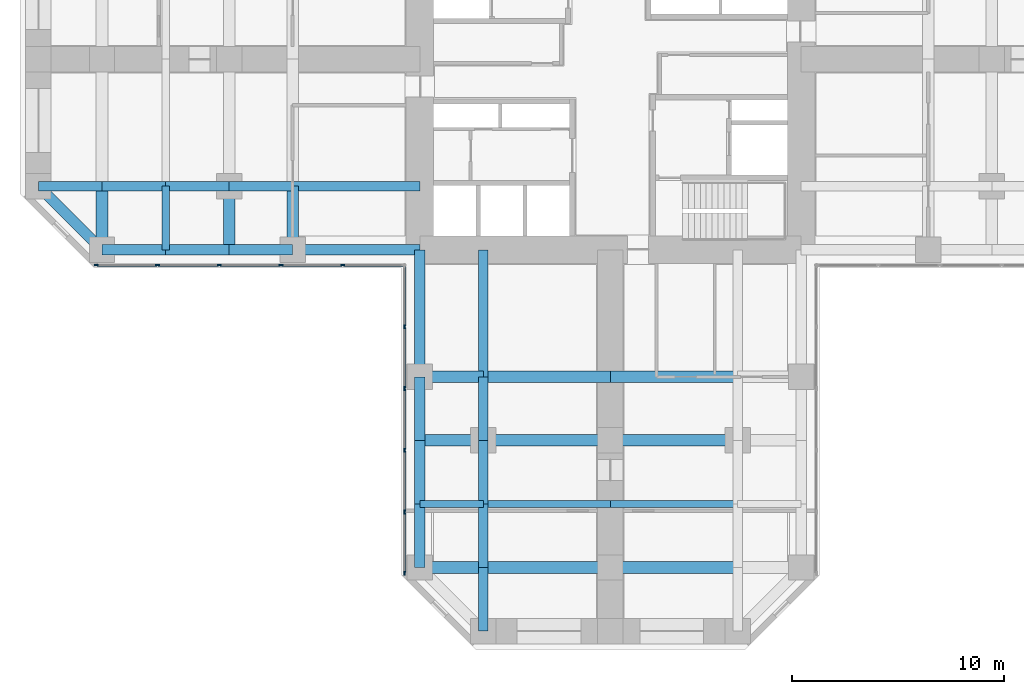
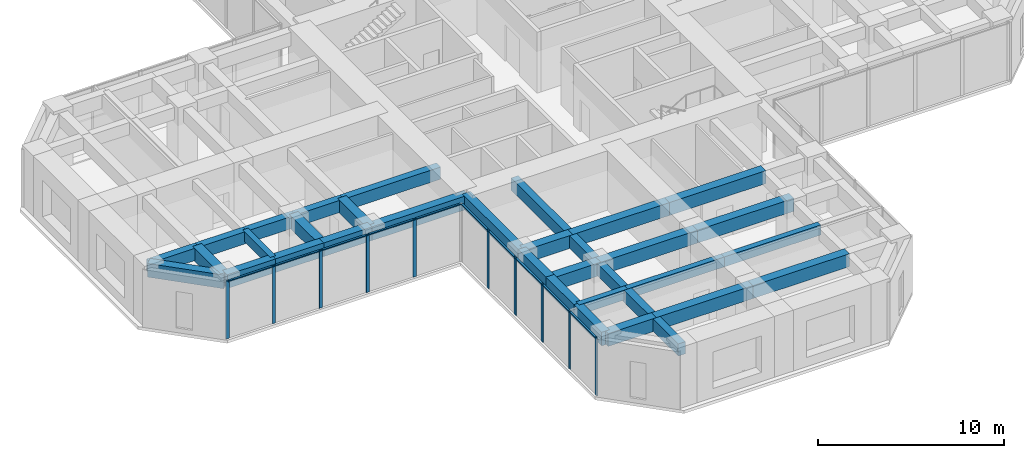
# One storey, part 2 of 12: 35 beams, 20 members, 2 elements without a shape of their own.
"""IFC4 building model written with IfcOpenShell, lengths in metres."""

from ifc_helpers import new_model, si_unit, direction, frame, origin, origin_2d, place, context, subcontext, project, spatial, rectangle, extrude, material, material_profile, profile_set, type_object, element, aggregate, save


model = new_model("IFC4")

# Units and contexts
model_context = context("Model", 3, precision=1e-05, world=origin(), true_north=direction((0.0, 1.0)))
body_context = subcontext(model_context, "Body", "Model", "MODEL_VIEW")
ifc_project = project(units=[si_unit("LENGTHUNIT", "METRE"), si_unit("AREAUNIT", "SQUARE_METRE"), si_unit("VOLUMEUNIT", "CUBIC_METRE"), si_unit("PLANEANGLEUNIT", "RADIAN"), si_unit("MASSUNIT", "GRAM", prefix="KILO")], contexts=[model_context])

# Site, building, storey
site_placement = place(None, origin())
site = spatial("IfcSite", under=ifc_project, at=site_placement, CompositionType="ELEMENT")
building_placement = place(site_placement, origin())
building = spatial("IfcBuilding", under=site, at=building_placement, Name="Torre Cruceta", CompositionType="ELEMENT")
storey_placement = place(building_placement, frame((0.0, 0.0, 87.5)))
storey = spatial("IfcBuildingStorey", under=building, at=storey_placement, Name="L21", CompositionType="ELEMENT", Elevation=87.5)

# Beams
ifc_material_1 = material(Name="Concrete G60 (fck 60 MPa)", Category="concrete")
ifc_material_profile_1 = material_profile(ifc_material_1, rectangle(XDim=0.449951171875, YDim=0.800048828125, at=origin_2d()), Name="RC 450X800")
ifc_profile_set_1 = profile_set([ifc_material_profile_1], Name="Concrete G60 (fck 60 MPa)")
beam_type_1 = type_object("IfcBeamType", Name="COLUMN LINE BEAM RC 450X800", PredefinedType="BEAM", material=ifc_profile_set_1)
beam_1_placement = place(storey_placement, frame((-6.0, -9.0, 3.39990234375), z_axis=(0.0, -1.0, 0.0), x_axis=(1.0, 0.0, 0.0)))
element("IfcBeam", 1, at=beam_1_placement, inside=storey, type_object=beam_type_1, Name="LB1 L21 S col- 1", PredefinedType="BEAM", context=body_context, shape_type="SweptSolid", body=[
    extrude(rectangle(XDim=0.449951171875, YDim=0.800048828125, at=origin_2d()), origin(), (0.0, 0.0, 1.0), 6.0),
])
for number, where, z_axis, x_axis, name in (
    (2, (-6.0, -15.0, 3.39990234375), (0.0, -1.0, 0.0), (1.0, 0.0, 0.0), "LB1 L21 S col- 2"),
    (3, (-6.0, -18.0, 3.39990234375), (0.0, -1.0, 0.0), (1.0, 0.0, 0.0), "LB1 L21 S col- 3"),
    (4, (-6.0, -21.0, 3.39990234375), (0.0, -1.0, 0.0), (1.0, 0.0, 0.0), "LB1 L21 S col- 4"),
    (5, (-6.0, -24.0, 3.39990234375), (0.0, -1.0, 0.0), (1.0, 0.0, 0.0), "LB1 L21 S col- 5"),
):
    element("IfcBeam", number, at=place(storey_placement, frame(where, z_axis=z_axis, x_axis=x_axis)), inside=storey, type_object=beam_type_1, Name=name, PredefinedType="BEAM", context=body_context, shape_type="SweptSolid", body=[
        extrude(rectangle(XDim=0.449951171875, YDim=0.800048828125, at=origin_2d()), origin(), (0.0, 0.0, 1.0), 3.0),
    ])
beam_2_placement = place(storey_placement, frame((-9.0, -6.0, 3.39990234375), z_axis=(-1.0, 0.0, 0.0), x_axis=(0.0, -1.0, 0.0)))
element("IfcBeam", 6, at=beam_2_placement, inside=storey, type_object=beam_type_1, Name="LB1 L21 W col+ 1", PredefinedType="BEAM", context=body_context, shape_type="SweptSolid", body=[
    extrude(rectangle(XDim=0.449951171875, YDim=0.800048828125, at=origin_2d()), origin(), (0.0, 0.0, 1.0), 6.0),
])
for number, where, z_axis, x_axis, name in (
    (7, (-15.0, -6.0, 3.39990234375), (-1.0, 0.0, 0.0), (0.0, -1.0, 0.0), "LB1 L21 W col+ 2"),
    (8, (-18.0, -6.0, 3.39990234375), (-1.0, 0.0, 0.0), (0.0, -1.0, 0.0), "LB1 L21 W col+ 3"),
    (9, (-21.0, -6.0, 3.39990234375), (-1.0, 0.0, 0.0), (0.0, -1.0, 0.0), "LB1 L21 W col+ 4"),
    (10, (-24.0, -6.0, 3.39990234375), (-1.0, 0.0, 0.0), (0.0, -1.0, 0.0), "LB1 L21 W col+ 5"),
):
    element("IfcBeam", number, at=place(storey_placement, frame(where, z_axis=z_axis, x_axis=x_axis)), inside=storey, type_object=beam_type_1, Name=name, PredefinedType="BEAM", context=body_context, shape_type="SweptSolid", body=[
        extrude(rectangle(XDim=0.449951171875, YDim=0.800048828125, at=origin_2d()), origin(), (0.0, 0.0, 1.0), 3.0),
    ])
ifc_material_2 = material(Name="Concrete G60 (fck 60 MPa)", Category="concrete")
ifc_material_profile_2 = material_profile(ifc_material_2, rectangle(XDim=0.550048828125, YDim=0.85009765625, at=origin_2d()), Name="RC 550X850")
ifc_profile_set_2 = profile_set([ifc_material_profile_2], Name="Concrete G60 (fck 60 MPa)")
beam_type_2 = type_object("IfcBeamType", Name="CROSS BEAM RC 550X850", PredefinedType="BEAM", material=ifc_profile_set_2)
beam_3_placement = place(storey_placement, frame((-9.0, -15.0, 3.375), z_axis=(1.0, 0.0, 0.0), x_axis=(0.0, 1.0, 0.0)))
element("IfcBeam", 11, at=beam_3_placement, inside=storey, type_object=beam_type_2, Name="GB4 L21 S cross15 1", PredefinedType="BEAM", context=body_context, shape_type="SweptSolid", body=[
    extrude(rectangle(XDim=0.550048828125, YDim=0.85009765625, at=origin_2d()), origin(), (0.0, 0.0, 1.0), 3.0),
])
for number, where, z_axis, x_axis, name in (
    (12, (-6.0, -15.0, 3.375), (1.0, 0.0, 0.0), (0.0, 1.0, 0.0), "GB4 L21 S cross15 2"),
    (13, (0.0, -15.0, 3.375), (1.0, 0.0, 0.0), (0.0, 1.0, 0.0), "GB4 L21 S cross15 3"),
):
    element("IfcBeam", number, at=place(storey_placement, frame(where, z_axis=z_axis, x_axis=x_axis)), inside=storey, type_object=beam_type_2, Name=name, PredefinedType="BEAM", context=body_context, shape_type="SweptSolid", body=[
        extrude(rectangle(XDim=0.550048828125, YDim=0.85009765625, at=origin_2d()), origin(), (0.0, 0.0, 1.0), 6.0),
    ])
beam_4_placement = place(storey_placement, frame((-9.0, -18.0, 3.375), z_axis=(1.0, 0.0, 0.0), x_axis=(0.0, 1.0, 0.0)))
element("IfcBeam", 14, at=beam_4_placement, inside=storey, type_object=beam_type_2, Name="GB4 L21 S cross18 1", PredefinedType="BEAM", context=body_context, shape_type="SweptSolid", body=[
    extrude(rectangle(XDim=0.550048828125, YDim=0.85009765625, at=origin_2d()), origin(), (0.0, 0.0, 1.0), 3.0),
])
for number, where, z_axis, x_axis, name in (
    (15, (-6.0, -18.0, 3.375), (1.0, 0.0, 0.0), (0.0, 1.0, 0.0), "GB4 L21 S cross18 2"),
    (16, (0.0, -18.0, 3.375), (1.0, 0.0, 0.0), (0.0, 1.0, 0.0), "GB4 L21 S cross18 3"),
):
    element("IfcBeam", number, at=place(storey_placement, frame(where, z_axis=z_axis, x_axis=x_axis)), inside=storey, type_object=beam_type_2, Name=name, PredefinedType="BEAM", context=body_context, shape_type="SweptSolid", body=[
        extrude(rectangle(XDim=0.550048828125, YDim=0.85009765625, at=origin_2d()), origin(), (0.0, 0.0, 1.0), 6.0),
    ])
beam_5_placement = place(storey_placement, frame((-9.0, -24.0, 3.375), z_axis=(1.0, 0.0, 0.0), x_axis=(0.0, 1.0, 0.0)))
element("IfcBeam", 17, at=beam_5_placement, inside=storey, type_object=beam_type_2, Name="GB4 L21 S cross24 1", PredefinedType="BEAM", context=body_context, shape_type="SweptSolid", body=[
    extrude(rectangle(XDim=0.550048828125, YDim=0.85009765625, at=origin_2d()), origin(), (0.0, 0.0, 1.0), 3.0),
])
for number, where, z_axis, x_axis, name in (
    (18, (-6.0, -24.0, 3.375), (1.0, 0.0, 0.0), (0.0, 1.0, 0.0), "GB4 L21 S cross24 2"),
    (19, (0.0, -24.0, 3.375), (1.0, 0.0, 0.0), (0.0, 1.0, 0.0), "GB4 L21 S cross24 3"),
):
    element("IfcBeam", number, at=place(storey_placement, frame(where, z_axis=z_axis, x_axis=x_axis)), inside=storey, type_object=beam_type_2, Name=name, PredefinedType="BEAM", context=body_context, shape_type="SweptSolid", body=[
        extrude(rectangle(XDim=0.550048828125, YDim=0.85009765625, at=origin_2d()), origin(), (0.0, 0.0, 1.0), 6.0),
    ])
for number, where, z_axis, x_axis, name in (
    (20, (-15.0, -6.0, 3.375), (0.0, -1.0, 0.0), (1.0, 0.0, 0.0), "GB4 L21 W cross15 4"),
    (21, (-18.0, -6.0, 3.375), (0.0, -1.0, 0.0), (1.0, 0.0, 0.0), "GB4 L21 W cross18 4"),
    (22, (-24.0, -6.0, 3.375), (0.0, -1.0, 0.0), (1.0, 0.0, 0.0), "GB4 L21 W cross24 4"),
):
    element("IfcBeam", number, at=place(storey_placement, frame(where, z_axis=z_axis, x_axis=x_axis)), inside=storey, type_object=beam_type_2, Name=name, PredefinedType="BEAM", context=body_context, shape_type="SweptSolid", body=[
        extrude(rectangle(XDim=0.550048828125, YDim=0.85009765625, at=origin_2d()), origin(), (0.0, 0.0, 1.0), 3.0),
    ])

# Curtain wall, members
ifc_material_3 = material(Name="Aluminium unitised curtain wall", Category="aluminium")
curtain_wall_type = type_object("IfcCurtainWallType", Name="CURTAIN WALL CW-A OFFICE LOW RISE", PredefinedType="USERDEFINED", material=ifc_material_3)
curtain_wall_1_placement = place(storey_placement, origin())
curtain_wall_1 = element("IfcCurtainWall", 23, at=curtain_wall_1_placement, inside=storey, type_object=curtain_wall_type, Name="CW-A L21 W side 14", ObjectType="UNITISED", PredefinedType="USERDEFINED")
ifc_material_4 = material(Name="Aluminium mullion", Category="aluminium")
ifc_material_profile_3 = material_profile(ifc_material_4, rectangle(XDim=0.06494140625, YDim=0.199951171875, at=origin_2d()), Name="AL 65X200")
ifc_profile_set_3 = profile_set([ifc_material_profile_3], Name="Aluminium mullion")
member_type_1 = type_object("IfcMemberType", Name="CW-A MULLION 65X200", PredefinedType="MULLION", material=ifc_profile_set_3)
member_1_placement = place(storey_placement, frame((-24.265625, -9.719970703125, 0.0), z_axis=(0.0, 0.0, 1.0), x_axis=(0.0, 1.0, 0.0)))
member_1 = element("IfcMember", 24, at=member_1_placement, type_object=member_type_1, Name="CW-A mullion 1", PredefinedType="MULLION", context=body_context, shape_type="SweptSolid", body=[
    extrude(rectangle(XDim=0.06494140625, YDim=0.199951171875, at=origin_2d()), origin(), (0.0, 0.0, 1.0), 3.800048828125),
])
member_2_placement = place(storey_placement, frame((-21.382568359375, -9.719970703125, 0.0), z_axis=(0.0, 0.0, 1.0), x_axis=(0.0, 1.0, 0.0)))
member_2 = element("IfcMember", 25, at=member_2_placement, type_object=member_type_1, Name="CW-A mullion 2", PredefinedType="MULLION", context=body_context, shape_type="SweptSolid", body=[
    extrude(rectangle(XDim=0.06494140625, YDim=0.199951171875, at=origin_2d()), origin(), (0.0, 0.0, 1.0), 3.800048828125),
])
member_3_placement = place(storey_placement, frame((-18.467041015625, -9.719970703125, 0.0), z_axis=(0.0, 0.0, 1.0), x_axis=(0.0, 1.0, 0.0)))
member_3 = element("IfcMember", 26, at=member_3_placement, type_object=member_type_1, Name="CW-A mullion 3", PredefinedType="MULLION", context=body_context, shape_type="SweptSolid", body=[
    extrude(rectangle(XDim=0.06494140625, YDim=0.199951171875, at=origin_2d()), origin(), (0.0, 0.0, 1.0), 3.800048828125),
])
member_4_placement = place(storey_placement, frame((-15.55126953125, -9.719970703125, 0.0), z_axis=(0.0, 0.0, 1.0), x_axis=(0.0, 1.0, 0.0)))
member_4 = element("IfcMember", 27, at=member_4_placement, type_object=member_type_1, Name="CW-A mullion 4", PredefinedType="MULLION", context=body_context, shape_type="SweptSolid", body=[
    extrude(rectangle(XDim=0.06494140625, YDim=0.199951171875, at=origin_2d()), origin(), (0.0, 0.0, 1.0), 3.800048828125),
])
member_5_placement = place(storey_placement, frame((-12.6357421875, -9.719970703125, 0.0), z_axis=(0.0, 0.0, 1.0), x_axis=(0.0, 1.0, 0.0)))
member_5 = element("IfcMember", 28, at=member_5_placement, type_object=member_type_1, Name="CW-A mullion 5", PredefinedType="MULLION", context=body_context, shape_type="SweptSolid", body=[
    extrude(rectangle(XDim=0.06494140625, YDim=0.199951171875, at=origin_2d()), origin(), (0.0, 0.0, 1.0), 3.800048828125),
])

curtain_wall_2_placement = place(storey_placement, origin())
curtain_wall_2 = element("IfcCurtainWall", 29, at=curtain_wall_2_placement, inside=storey, type_object=curtain_wall_type, Name="CW-A L21 S side 15", ObjectType="UNITISED", PredefinedType="USERDEFINED")
member_6_placement = place(storey_placement, frame((-9.719970703125, -12.6357421875, 0.0), z_axis=(0.0, 0.0, 1.0), x_axis=(1.0, 0.0, 0.0)))
member_6 = element("IfcMember", 30, at=member_6_placement, type_object=member_type_1, Name="CW-A mullion 2", PredefinedType="MULLION", context=body_context, shape_type="SweptSolid", body=[
    extrude(rectangle(XDim=0.06494140625, YDim=0.199951171875, at=origin_2d()), origin(), (0.0, 0.0, 1.0), 3.800048828125),
])
member_7_placement = place(storey_placement, frame((-9.719970703125, -15.55126953125, 0.0), z_axis=(0.0, 0.0, 1.0), x_axis=(1.0, 0.0, 0.0)))
member_7 = element("IfcMember", 31, at=member_7_placement, type_object=member_type_1, Name="CW-A mullion 3", PredefinedType="MULLION", context=body_context, shape_type="SweptSolid", body=[
    extrude(rectangle(XDim=0.06494140625, YDim=0.199951171875, at=origin_2d()), origin(), (0.0, 0.0, 1.0), 3.800048828125),
])
member_8_placement = place(storey_placement, frame((-9.719970703125, -18.467041015625, 0.0), z_axis=(0.0, 0.0, 1.0), x_axis=(1.0, 0.0, 0.0)))
member_8 = element("IfcMember", 32, at=member_8_placement, type_object=member_type_1, Name="CW-A mullion 4", PredefinedType="MULLION", context=body_context, shape_type="SweptSolid", body=[
    extrude(rectangle(XDim=0.06494140625, YDim=0.199951171875, at=origin_2d()), origin(), (0.0, 0.0, 1.0), 3.800048828125),
])
member_9_placement = place(storey_placement, frame((-9.719970703125, -21.382568359375, 0.0), z_axis=(0.0, 0.0, 1.0), x_axis=(1.0, 0.0, 0.0)))
member_9 = element("IfcMember", 33, at=member_9_placement, type_object=member_type_1, Name="CW-A mullion 5", PredefinedType="MULLION", context=body_context, shape_type="SweptSolid", body=[
    extrude(rectangle(XDim=0.06494140625, YDim=0.199951171875, at=origin_2d()), origin(), (0.0, 0.0, 1.0), 3.800048828125),
])
member_10_placement = place(storey_placement, frame((-9.719970703125, -24.265625, 0.0), z_axis=(0.0, 0.0, 1.0), x_axis=(1.0, 0.0, 0.0)))
member_10 = element("IfcMember", 34, at=member_10_placement, type_object=member_type_1, Name="CW-A mullion 6", PredefinedType="MULLION", context=body_context, shape_type="SweptSolid", body=[
    extrude(rectangle(XDim=0.06494140625, YDim=0.199951171875, at=origin_2d()), origin(), (0.0, 0.0, 1.0), 3.800048828125),
])

# Member
ifc_material_5 = material(Name="Aluminium transom", Category="aluminium")
ifc_material_profile_4 = material_profile(ifc_material_5, rectangle(XDim=0.1201171875, YDim=0.06494140625, at=origin_2d()), Name="AL 120X65")
ifc_profile_set_4 = profile_set([ifc_material_profile_4], Name="Aluminium transom")
member_type_2 = type_object("IfcMemberType", Name="CW-A TRANSOM 65X120", PredefinedType="USERDEFINED", material=ifc_profile_set_4)
member_11_placement = place(storey_placement, frame((-24.233154296875, -9.719970703125, 3.767578125), z_axis=(1.0, 0.0, 0.0), x_axis=(0.0, 1.0, 0.0)))
member_11 = element("IfcMember", 35, at=member_11_placement, type_object=member_type_2, Name="CW-A transom 1", ObjectType="TRANSOM", PredefinedType="USERDEFINED", context=body_context, shape_type="SweptSolid", body=[
    extrude(rectangle(XDim=0.1201171875, YDim=0.06494140625, at=origin_2d()), origin(), (0.0, 0.0, 1.0), 2.818115234375),
])

member_12_placement = place(storey_placement, frame((-21.35009765625, -9.719970703125, 3.767578125), z_axis=(1.0, 0.0, 0.0), x_axis=(0.0, 1.0, 0.0)))
member_12 = element("IfcMember", 36, at=member_12_placement, type_object=member_type_2, Name="CW-A transom 2", ObjectType="TRANSOM", PredefinedType="USERDEFINED", context=body_context, shape_type="SweptSolid", body=[
    extrude(rectangle(XDim=0.1201171875, YDim=0.06494140625, at=origin_2d()), origin(), (0.0, 0.0, 1.0), 2.8505859375),
])

member_13_placement = place(storey_placement, frame((-18.434326171875, -9.719970703125, 3.767578125), z_axis=(1.0, 0.0, 0.0), x_axis=(0.0, 1.0, 0.0)))
member_13 = element("IfcMember", 37, at=member_13_placement, type_object=member_type_2, Name="CW-A transom 3", ObjectType="TRANSOM", PredefinedType="USERDEFINED", context=body_context, shape_type="SweptSolid", body=[
    extrude(rectangle(XDim=0.1201171875, YDim=0.06494140625, at=origin_2d()), origin(), (0.0, 0.0, 1.0), 2.8505859375),
])

member_14_placement = place(storey_placement, frame((-15.518798828125, -9.719970703125, 3.767578125), z_axis=(1.0, 0.0, 0.0), x_axis=(0.0, 1.0, 0.0)))
member_14 = element("IfcMember", 38, at=member_14_placement, type_object=member_type_2, Name="CW-A transom 4", ObjectType="TRANSOM", PredefinedType="USERDEFINED", context=body_context, shape_type="SweptSolid", body=[
    extrude(rectangle(XDim=0.1201171875, YDim=0.06494140625, at=origin_2d()), origin(), (0.0, 0.0, 1.0), 2.8505859375),
])

member_15_placement = place(storey_placement, frame((-12.60302734375, -9.719970703125, 3.767578125), z_axis=(1.0, 0.0, 0.0), x_axis=(0.0, 1.0, 0.0)))
member_15 = element("IfcMember", 39, at=member_15_placement, type_object=member_type_2, Name="CW-A transom 5", ObjectType="TRANSOM", PredefinedType="USERDEFINED", context=body_context, shape_type="SweptSolid", body=[
    extrude(rectangle(XDim=0.1201171875, YDim=0.06494140625, at=origin_2d()), origin(), (0.0, 0.0, 1.0), 2.818115234375),
])

aggregate(curtain_wall_1, [member_1, member_2, member_3, member_4, member_5, member_11, member_12, member_13, member_14, member_15])

member_16_placement = place(storey_placement, frame((-9.719970703125, -9.784912109375, 3.767578125), z_axis=(0.0, -1.0, 0.0), x_axis=(1.0, 0.0, 0.0)))
member_16 = element("IfcMember", 40, at=member_16_placement, type_object=member_type_2, Name="CW-A transom 1", ObjectType="TRANSOM", PredefinedType="USERDEFINED", context=body_context, shape_type="SweptSolid", body=[
    extrude(rectangle(XDim=0.1201171875, YDim=0.06494140625, at=origin_2d()), origin(), (0.0, 0.0, 1.0), 2.818115234375),
])

member_17_placement = place(storey_placement, frame((-9.719970703125, -12.668212890625, 3.767578125), z_axis=(0.0, -1.0, 0.0), x_axis=(1.0, 0.0, 0.0)))
member_17 = element("IfcMember", 41, at=member_17_placement, type_object=member_type_2, Name="CW-A transom 2", ObjectType="TRANSOM", PredefinedType="USERDEFINED", context=body_context, shape_type="SweptSolid", body=[
    extrude(rectangle(XDim=0.1201171875, YDim=0.06494140625, at=origin_2d()), origin(), (0.0, 0.0, 1.0), 2.8505859375),
])

member_18_placement = place(storey_placement, frame((-9.719970703125, -15.583740234375, 3.767578125), z_axis=(0.0, -1.0, 0.0), x_axis=(1.0, 0.0, 0.0)))
member_18 = element("IfcMember", 42, at=member_18_placement, type_object=member_type_2, Name="CW-A transom 3", ObjectType="TRANSOM", PredefinedType="USERDEFINED", context=body_context, shape_type="SweptSolid", body=[
    extrude(rectangle(XDim=0.1201171875, YDim=0.06494140625, at=origin_2d()), origin(), (0.0, 0.0, 1.0), 2.8505859375),
])

member_19_placement = place(storey_placement, frame((-9.719970703125, -18.49951171875, 3.767578125), z_axis=(0.0, -1.0, 0.0), x_axis=(1.0, 0.0, 0.0)))
member_19 = element("IfcMember", 43, at=member_19_placement, type_object=member_type_2, Name="CW-A transom 4", ObjectType="TRANSOM", PredefinedType="USERDEFINED", context=body_context, shape_type="SweptSolid", body=[
    extrude(rectangle(XDim=0.1201171875, YDim=0.06494140625, at=origin_2d()), origin(), (0.0, 0.0, 1.0), 2.8505859375),
])

member_20_placement = place(storey_placement, frame((-9.719970703125, -21.4150390625, 3.767578125), z_axis=(0.0, -1.0, 0.0), x_axis=(1.0, 0.0, 0.0)))
member_20 = element("IfcMember", 44, at=member_20_placement, type_object=member_type_2, Name="CW-A transom 5", ObjectType="TRANSOM", PredefinedType="USERDEFINED", context=body_context, shape_type="SweptSolid", body=[
    extrude(rectangle(XDim=0.1201171875, YDim=0.06494140625, at=origin_2d()), origin(), (0.0, 0.0, 1.0), 2.818115234375),
])

aggregate(curtain_wall_2, [member_6, member_7, member_8, member_9, member_10, member_16, member_17, member_18, member_19, member_20])

# Beams
ifc_material_6 = material(Name="Concrete G60 (fck 60 MPa)", Category="concrete")
ifc_material_profile_5 = material_profile(ifc_material_6, rectangle(XDim=0.35009765625, YDim=0.64990234375, at=origin_2d()), Name="RC 350X650")
ifc_profile_set_5 = profile_set([ifc_material_profile_5], Name="Concrete G60 (fck 60 MPa)")
beam_type_3 = type_object("IfcBeamType", Name="SECONDARY BEAM RC 350X650", PredefinedType="JOIST", material=ifc_profile_set_5)
beam_6_placement = place(storey_placement, frame((-9.0, -21.0, 3.47509765625), z_axis=(1.0, 0.0, 0.0), x_axis=(0.0, 1.0, 0.0)))
element("IfcBeam", 45, at=beam_6_placement, inside=storey, type_object=beam_type_3, Name="JB3 L21 S sec21 1", PredefinedType="JOIST", context=body_context, shape_type="SweptSolid", body=[
    extrude(rectangle(XDim=0.35009765625, YDim=0.64990234375, at=origin_2d()), origin(), (0.0, 0.0, 1.0), 3.0),
])
for number, where, z_axis, x_axis, name in (
    (46, (-6.0, -21.0, 3.47509765625), (1.0, 0.0, 0.0), (0.0, 1.0, 0.0), "JB3 L21 S sec21 2"),
    (47, (0.0, -21.0, 3.47509765625), (1.0, 0.0, 0.0), (0.0, 1.0, 0.0), "JB3 L21 S sec21 3"),
):
    element("IfcBeam", number, at=place(storey_placement, frame(where, z_axis=z_axis, x_axis=x_axis)), inside=storey, type_object=beam_type_3, Name=name, PredefinedType="JOIST", context=body_context, shape_type="SweptSolid", body=[
        extrude(rectangle(XDim=0.35009765625, YDim=0.64990234375, at=origin_2d()), origin(), (0.0, 0.0, 1.0), 6.0),
    ])
beam_7_placement = place(storey_placement, frame((-21.0, -6.0, 3.47509765625), z_axis=(0.0, -1.0, 0.0), x_axis=(1.0, 0.0, 0.0)))
element("IfcBeam", 48, at=beam_7_placement, inside=storey, type_object=beam_type_3, Name="JB3 L21 W sec21 4", PredefinedType="JOIST", context=body_context, shape_type="SweptSolid", body=[
    extrude(rectangle(XDim=0.35009765625, YDim=0.64990234375, at=origin_2d()), origin(), (0.0, 0.0, 1.0), 3.0),
])
ifc_material_7 = material(Name="Concrete G60 (fck 60 MPa)", Category="concrete")
ifc_material_profile_6 = material_profile(ifc_material_7, rectangle(XDim=0.5, YDim=0.89990234375, at=origin_2d()), Name="RC 500X900")
ifc_profile_set_6 = profile_set([ifc_material_profile_6], Name="Concrete G60 (fck 60 MPa)")
beam_type_4 = type_object("IfcBeamType", Name="SPANDREL BEAM RC 500X900", PredefinedType="SPANDREL", material=ifc_profile_set_6)
beam_8_placement = place(storey_placement, frame((-9.0, -9.0, 3.35009765625), z_axis=(0.0, -1.0, 0.0), x_axis=(1.0, 0.0, 0.0)))
element("IfcBeam", 49, at=beam_8_placement, inside=storey, type_object=beam_type_4, Name="SB4 L21 S side- 1", PredefinedType="SPANDREL", context=body_context, shape_type="SweptSolid", body=[
    extrude(rectangle(XDim=0.5, YDim=0.89990234375, at=origin_2d()), origin(), (0.0, 0.0, 1.0), 6.0),
])
for number, where, z_axis, x_axis, name in (
    (50, (-9.0, -15.0, 3.35009765625), (0.0, -1.0, 0.0), (1.0, 0.0, 0.0), "SB4 L21 S side- 2"),
    (51, (-9.0, -18.0, 3.35009765625), (0.0, -1.0, 0.0), (1.0, 0.0, 0.0), "SB4 L21 S side- 3"),
    (52, (-9.0, -21.0, 3.35009765625), (0.0, -1.0, 0.0), (1.0, 0.0, 0.0), "SB4 L21 S side- 4"),
):
    element("IfcBeam", number, at=place(storey_placement, frame(where, z_axis=z_axis, x_axis=x_axis)), inside=storey, type_object=beam_type_4, Name=name, PredefinedType="SPANDREL", context=body_context, shape_type="SweptSolid", body=[
        extrude(rectangle(XDim=0.5, YDim=0.89990234375, at=origin_2d()), origin(), (0.0, 0.0, 1.0), 3.0),
    ])
beam_9_placement = place(storey_placement, frame((-9.0, -9.0, 3.35009765625), z_axis=(-1.0, 0.0, 0.0), x_axis=(0.0, -1.0, 0.0)))
element("IfcBeam", 53, at=beam_9_placement, inside=storey, type_object=beam_type_4, Name="SB4 L21 W side+ 1", PredefinedType="SPANDREL", context=body_context, shape_type="SweptSolid", body=[
    extrude(rectangle(XDim=0.5, YDim=0.89990234375, at=origin_2d()), origin(), (0.0, 0.0, 1.0), 6.0),
])
for number, where, z_axis, x_axis, name in (
    (54, (-15.0, -9.0, 3.35009765625), (-1.0, 0.0, 0.0), (0.0, -1.0, 0.0), "SB4 L21 W side+ 2"),
    (55, (-18.0, -9.0, 3.35009765625), (-1.0, 0.0, 0.0), (0.0, -1.0, 0.0), "SB4 L21 W side+ 3"),
    (56, (-21.0, -9.0, 3.35009765625), (-1.0, 0.0, 0.0), (0.0, -1.0, 0.0), "SB4 L21 W side+ 4"),
):
    element("IfcBeam", number, at=place(storey_placement, frame(where, z_axis=z_axis, x_axis=x_axis)), inside=storey, type_object=beam_type_4, Name=name, PredefinedType="SPANDREL", context=body_context, shape_type="SweptSolid", body=[
        extrude(rectangle(XDim=0.5, YDim=0.89990234375, at=origin_2d()), origin(), (0.0, 0.0, 1.0), 3.0),
    ])
beam_10_placement = place(storey_placement, frame((-24.0, -9.0, 3.35009765625), z_axis=(-0.707106781187, 0.707106781187, 0.0), x_axis=(-0.707106781187, -0.707106781187, 0.0)))
element("IfcBeam", 57, at=beam_10_placement, inside=storey, type_object=beam_type_4, Name="SB4 L21 W side+ 5", PredefinedType="SPANDREL", context=body_context, shape_type="SweptSolid", body=[
    extrude(rectangle(XDim=0.5, YDim=0.89990234375, at=origin_2d()), origin(), (0.0, 0.0, 1.0), 4.24267578125),
])

save(model, "model.ifc")
